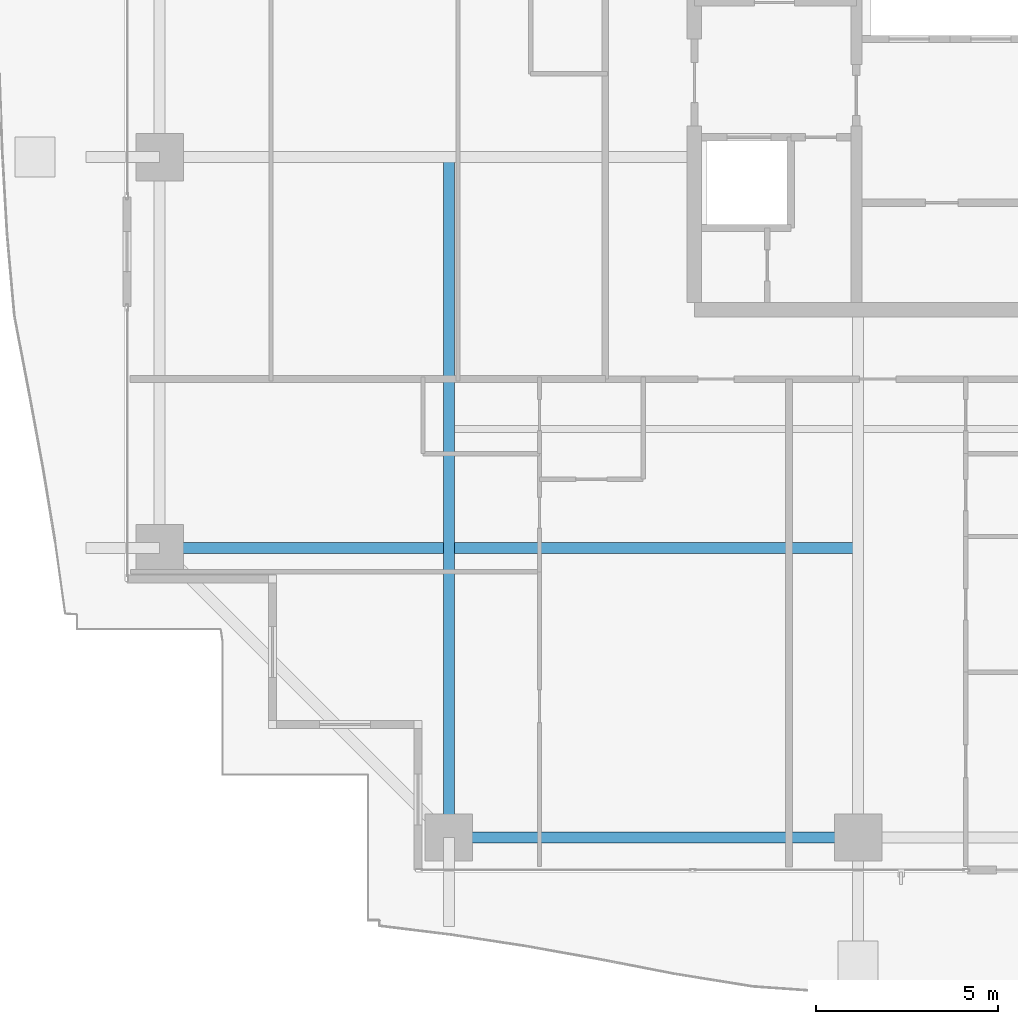
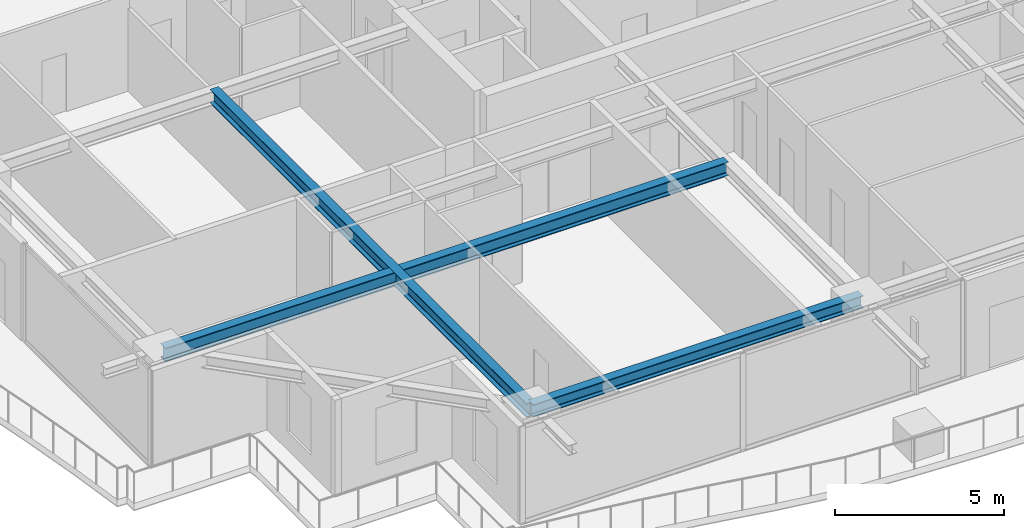
# One storey, part 4 of 35: 3 beams.
"""IFC4 building model written with IfcOpenShell, lengths in metres."""

from ifc_helpers import new_model, si_unit, direction, frame, origin, origin_2d, place, context, subcontext, project, spatial, i_section, extrude, source, transform, mapped, material, material_profile, profile_set, type_object, element, save


model = new_model("IFC4")

# Units and contexts
model_context = context("Model", 3, precision=1e-05, world=origin(), true_north=direction((0.0, 1.0)))
body_context = subcontext(model_context, "Body", "Model", "MODEL_VIEW")
ifc_project = project(units=[si_unit("LENGTHUNIT", "METRE"), si_unit("AREAUNIT", "SQUARE_METRE"), si_unit("VOLUMEUNIT", "CUBIC_METRE"), si_unit("PLANEANGLEUNIT", "RADIAN"), si_unit("MASSUNIT", "GRAM", prefix="KILO")], contexts=[model_context])

# Site, building, storey
site_placement = place(None, origin())
site = spatial("IfcSite", under=ifc_project, at=site_placement, CompositionType="ELEMENT")
building_placement = place(site_placement, origin())
building = spatial("IfcBuilding", under=site, at=building_placement, Name="Serunith Strait Residences", CompositionType="ELEMENT")
storey_placement = place(building_placement, frame((0.0, 0.0, 157.64990234375)))
storey = spatial("IfcBuildingStorey", under=building, at=storey_placement, Name="L39", CompositionType="ELEMENT", Elevation=157.64990234375)

# Beams
ifc_material = material(Name="Steel S355J2", Category="steel")
ifc_material_profile_1 = material_profile(ifc_material, i_section(OverallWidth=0.300048828125, OverallDepth=0.5, WebThickness=0.014404296875, FlangeThickness=0.028076171875, FilletRadius=0.027099609375, at=origin_2d()), Name="HEB 500")
ifc_profile_set_1 = profile_set([ifc_material_profile_1], Name="Steel S355J2")
beam_type_1 = type_object("IfcBeamType", Name="BM-HEB500", PredefinedType="BEAM", material=ifc_profile_set_1)
shared_shape_1 = source(origin(), body_context, "Body", "SweptSolid", [
    extrude(i_section(OverallWidth=0.300048828125, OverallDepth=0.5, WebThickness=0.014404296875, FlangeThickness=0.028076171875, FilletRadius=0.027099609375, at=origin_2d()), origin(), (0.0, 0.0, 1.0), 18.699951171875),
])
beam_1_placement = place(storey_placement, frame((16.64990234375, 21.0, 3.237060546875), z_axis=(0.0, -1.0, 0.0), x_axis=(1.0, 0.0, 0.0)))
element("IfcBeam", 1, at=beam_1_placement, inside=storey, type_object=beam_type_1, Name="L39 Orthogonal Corner Girder TC-S1", PredefinedType="BEAM", context=body_context, shape_type="MappedRepresentation", body=[
    mapped(shared_shape_1, transform((0.0, 0.0, 0.0), scale=1.0)),
])
shared_shape_2 = source(origin(), body_context, "Body", "SweptSolid", [
    extrude(i_section(OverallWidth=0.300048828125, OverallDepth=0.5, WebThickness=0.014404296875, FlangeThickness=0.028076171875, FilletRadius=0.027099609375, at=origin_2d()), origin(), (0.0, 0.0, 1.0), 19.199951171875),
])
beam_2_placement = place(storey_placement, frame((27.89990234375, 10.25, 3.237060546875), z_axis=(-1.0, 0.0, 0.0), x_axis=(0.0, -1.0, 0.0)))
element("IfcBeam", 2, at=beam_2_placement, inside=storey, type_object=beam_type_1, Name="L39 Orthogonal Corner Girder TC-W1", PredefinedType="BEAM", context=body_context, shape_type="MappedRepresentation", body=[
    mapped(shared_shape_2, transform((0.0, 0.0, 0.0), scale=1.0)),
])
ifc_material_profile_2 = material_profile(ifc_material, i_section(OverallWidth=0.300048828125, OverallDepth=0.449951171875, WebThickness=0.013916015625, FlangeThickness=0.02587890625, FilletRadius=0.027099609375, at=origin_2d()), Name="HEB 450")
ifc_profile_set_2 = profile_set([ifc_material_profile_2], Name="Steel S355J2")
beam_type_2 = type_object("IfcBeamType", Name="BM-HEB450", PredefinedType="BEAM", material=ifc_profile_set_2)
shared_shape_3 = source(origin(), body_context, "Body", "SweptSolid", [
    extrude(i_section(OverallWidth=0.300048828125, OverallDepth=0.449951171875, WebThickness=0.013916015625, FlangeThickness=0.02587890625, FilletRadius=0.027099609375, at=origin_2d()), origin(), (0.0, 0.0, 1.0), 11.25),
])
beam_3_placement = place(storey_placement, frame((16.64990234375, 2.300048828125, 3.26220703125), z_axis=(1.0, 0.0, 0.0), x_axis=(0.0, 1.0, 0.0)))
element("IfcBeam", 3, at=beam_3_placement, inside=storey, type_object=beam_type_2, Name="L39 Perimeter Ring Beam 01", PredefinedType="BEAM", context=body_context, shape_type="MappedRepresentation", body=[
    mapped(shared_shape_3, transform((0.0, 0.0, 0.0), scale=1.0)),
])

save(model, "model.ifc")
